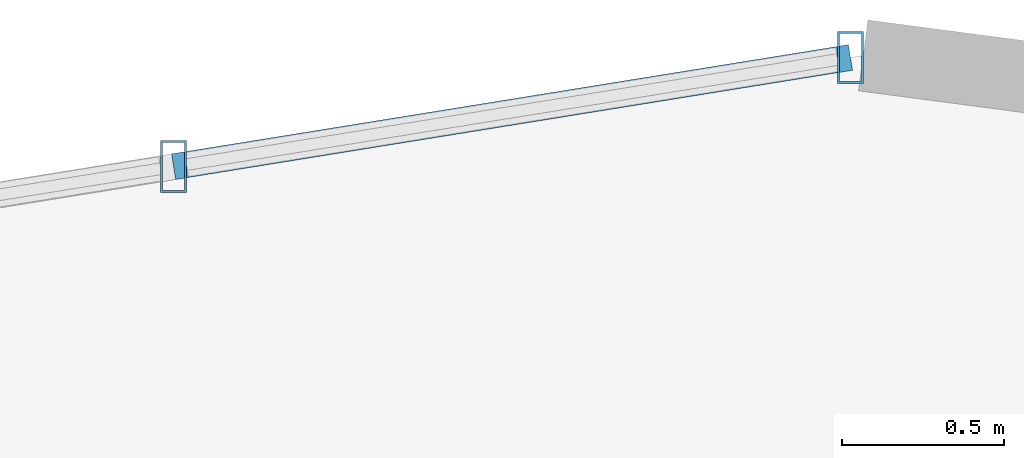
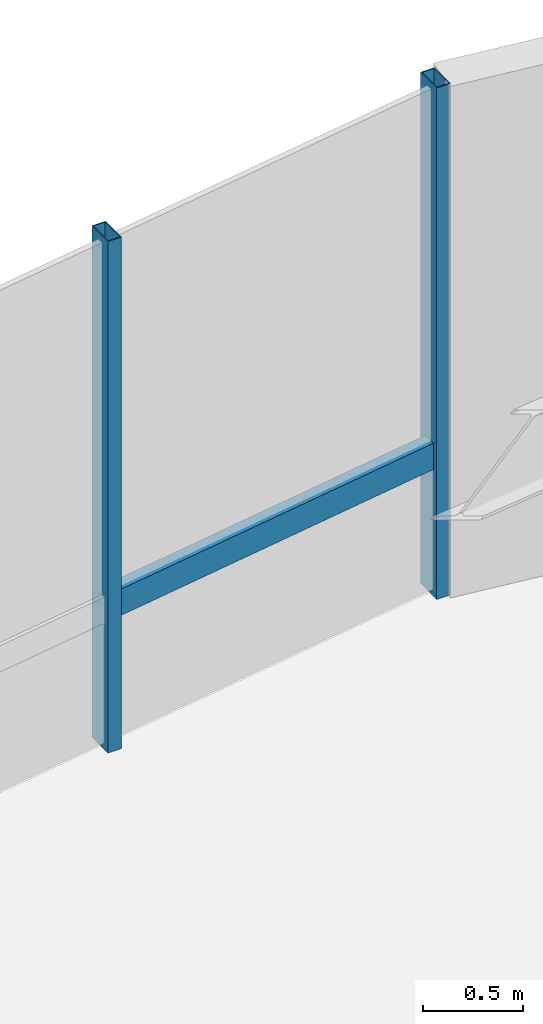
# One storey, part 15 of 21: 3 members, 1 element without a shape of its own.
"""IFC4 building model written with IfcOpenShell, lengths in metres."""

from ifc_helpers import new_model, si_unit, direction, frame, origin, origin_2d, place, context, subcontext, project, spatial, hollow_rectangle, extrude, source, transform, mapped, material, material_profile, profile_set, type_object, element, aggregate, save


model = new_model("IFC4")

# Units and contexts
model_context = context("Model", 3, precision=1e-05, world=origin(), true_north=direction((0.0, 1.0)))
body_context = subcontext(model_context, "Body", "Model", "MODEL_VIEW")
ifc_project = project(units=[si_unit("LENGTHUNIT", "METRE"), si_unit("AREAUNIT", "SQUARE_METRE"), si_unit("VOLUMEUNIT", "CUBIC_METRE"), si_unit("PLANEANGLEUNIT", "RADIAN"), si_unit("MASSUNIT", "GRAM", prefix="KILO")], contexts=[model_context])

# Site, building, storey
site_placement = place(None, origin())
site = spatial("IfcSite", under=ifc_project, at=site_placement, CompositionType="ELEMENT")
building_placement = place(site_placement, origin())
building = spatial("IfcBuilding", under=site, at=building_placement, Name="Sahyath Konkavel Grand Hotel", CompositionType="ELEMENT")
storey_placement = place(building_placement, frame((0.0, 0.0, 216.550048828125)))
storey = spatial("IfcBuildingStorey", under=building, at=storey_placement, Name="L60", CompositionType="ELEMENT", Elevation=216.550048828125)

# Curtain wall, members
ifc_material_1 = material(Name="Anodised Bronze Aluminium & Low-E Glazing", Category="aluminium")
curtain_wall_type = type_object("IfcCurtainWallType", Name="CW-ZONE4", PredefinedType="NOTDEFINED", material=ifc_material_1)
curtain_wall_placement = place(storey_placement, origin())
curtain_wall = element("IfcCurtainWall", 1, at=curtain_wall_placement, inside=storey, type_object=curtain_wall_type, Name="L60 Unitised Curtain Wall F12", PredefinedType="NOTDEFINED")
ifc_material_2 = material(Name="Anodised Bronze Aluminium", Category="aluminium")
ifc_material_profile_1 = material_profile(ifc_material_2, hollow_rectangle(XDim=0.080078125, YDim=0.159912109375, WallThickness=0.006103515625, at=origin_2d()), Name="RHS 160x80x6")
ifc_profile_set_1 = profile_set([ifc_material_profile_1], Name="Anodised Bronze Aluminium")
member_type_1 = type_object("IfcMemberType", Name="CW-MUL-160", PredefinedType="MULLION", material=ifc_profile_set_1)
shared_shape_1 = source(origin(), body_context, "Body", "SweptSolid", [
    extrude(hollow_rectangle(XDim=0.080078125, YDim=0.159912109375, WallThickness=0.006103515625, at=origin_2d()), origin(), (0.0, 0.0, 1.0), 3.10986328125),
])
member_1_placement = place(storey_placement, frame((1.117431640625, 20.318603515625, 0.0), z_axis=(0.0, 0.0, 1.0), x_axis=(1.0, 0.0, 0.0)))
member_1 = element("IfcMember", 2, at=member_1_placement, type_object=member_type_1, Name="L60 Curtain Wall Mullion F12-0", PredefinedType="MULLION", context=body_context, shape_type="MappedRepresentation", body=[
    mapped(shared_shape_1, transform((0.0, 0.0, 0.0), scale=1.0)),
])
member_2_placement = place(storey_placement, frame((-0.9677734375, 19.982177734375, 0.0), z_axis=(0.0, 0.0, 1.0), x_axis=(1.0, 0.0, 0.0)))
member_2 = element("IfcMember", 3, at=member_2_placement, type_object=member_type_1, Name="L60 Curtain Wall Mullion F12-1", PredefinedType="MULLION", context=body_context, shape_type="MappedRepresentation", body=[
    mapped(shared_shape_1, transform((0.0, 0.0, 0.0), scale=1.0)),
])
ifc_material_profile_2 = material_profile(ifc_material_2, hollow_rectangle(XDim=0.080078125, YDim=0.159912109375, WallThickness=0.006103515625, at=origin_2d()), Name="RHS 160x80x6")
ifc_profile_set_2 = profile_set([ifc_material_profile_2], Name="Anodised Bronze Aluminium")
member_type_2 = type_object("IfcMemberType", Name="CW-TRN-160", PredefinedType="USERDEFINED", material=ifc_profile_set_2)
shared_shape_2 = source(origin(), body_context, "Body", "SweptSolid", [
    extrude(hollow_rectangle(XDim=0.080078125, YDim=0.159912109375, WallThickness=0.006103515625, at=origin_2d()), origin(), (0.0, 0.0, 1.0), 2.112060546875),
])
member_3_placement = place(storey_placement, frame((1.117431640625, 20.318603515625, 0.849853515625), z_axis=(-0.987233499712, -0.159279681841, 0.0), x_axis=(0.159279681841, -0.987233499712, 0.0)))
member_3 = element("IfcMember", 4, at=member_3_placement, type_object=member_type_2, Name="L60 Curtain Wall Transom F12-0-spandrel", ObjectType="TRANSOM", PredefinedType="USERDEFINED", context=body_context, shape_type="MappedRepresentation", body=[
    mapped(shared_shape_2, transform((0.0, 0.0, 0.0), scale=1.0)),
])
aggregate(curtain_wall, [member_1, member_2, member_3])

save(model, "model.ifc")
